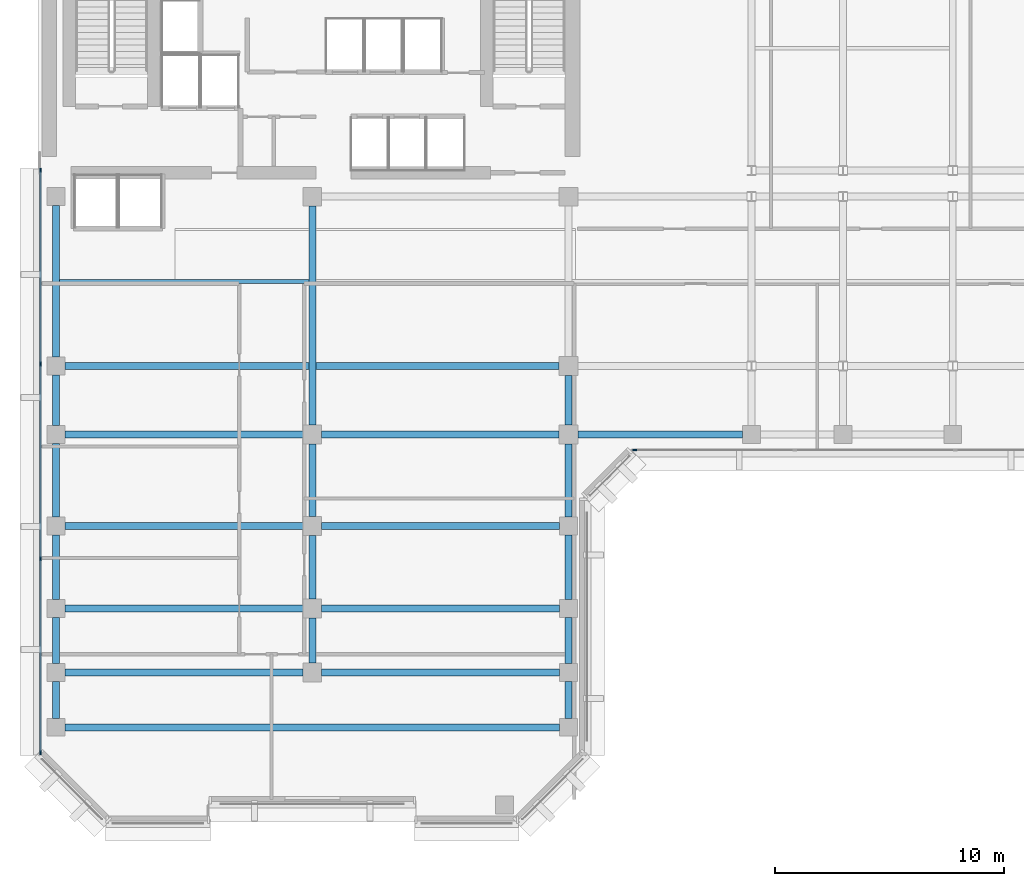
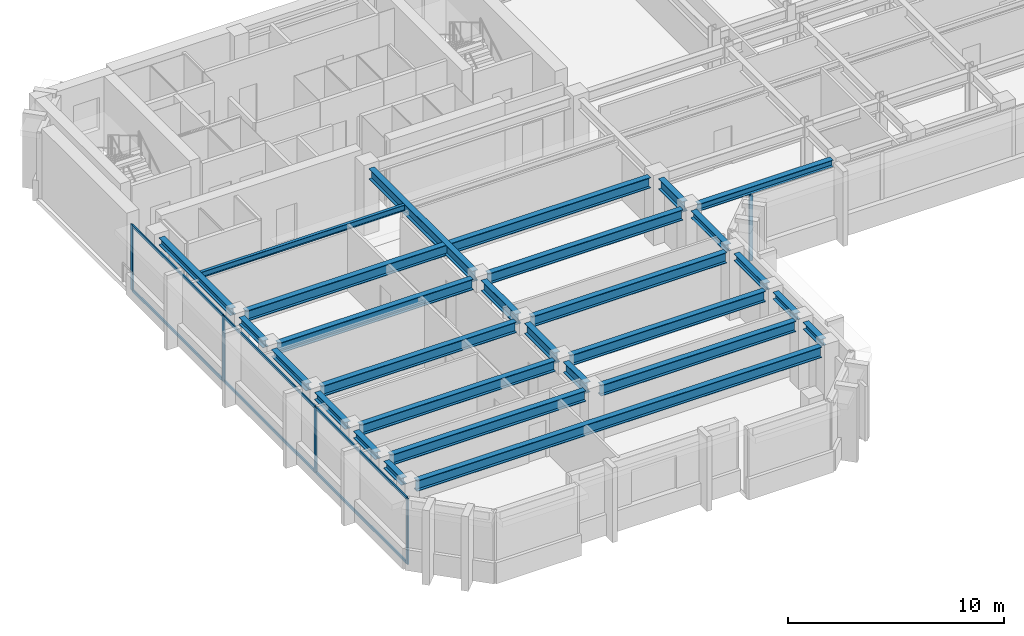
# One storey, part 2 of 12: 27 beams, 11 members, 2 elements without a shape of their own.
"""IFC4 building model written with IfcOpenShell, lengths in metres."""

import ifcopenshell
import ifcopenshell.guid

model = None  # the IFC model being written
_history = None  # IfcOwnerHistory: only IFC2X3 demands one
_inside = {}  # id of a spatial element -> (the spatial element, [elements in it])
_under = {}  # id of a project, library or spatial element -> (it, [spatial elements below it])
_declared = {}  # id of a project -> (the project, [libraries it declares])
_typed = {}  # id of a type object -> (the type object, [elements of that type])
_made_of = {}  # id of a material, layer set ... -> (it, [elements and type objects made of it])


def new_model(schema):
    """Start an empty IFC model of exactly this schema.

    Asked for "IFC4X3", IfcOpenShell would pick the latest addendum, in which some entities
    have other attributes; the version numbers below select the first issue.
    IFC2X3 requires an IfcOwnerHistory on every rooted entity: one is made here for all.
    """
    global model, _history
    if schema == "IFC4X3":
        model = ifcopenshell.file(schema_version=(4, 3, 0, 0))
    else:
        model = ifcopenshell.file(schema=schema)
    _inside.clear()
    _under.clear()
    _declared.clear()
    _typed.clear()
    _made_of.clear()
    _history = None
    if model.schema == "IFC2X3":
        org = make("IfcOrganization", Name="unknown")
        user = make(
            "IfcPersonAndOrganization",
            ThePerson=make("IfcPerson", FamilyName="unknown"),
            TheOrganization=org,
        )
        app = make(
            "IfcApplication",
            ApplicationDeveloper=org,
            Version="unknown",
            ApplicationFullName="unknown",
            ApplicationIdentifier="unknown",
        )
        _history = make(
            "IfcOwnerHistory",
            OwningUser=user,
            OwningApplication=app,
            ChangeAction="ADDED",
            CreationDate=0,
        )
    return model


def make(cls, **values):
    """One entity of the class cls with the attributes given. An attribute that is None is left unset."""
    return model.create_entity(
        cls, **{name: value for name, value in values.items() if value is not None}
    )


def rooted(cls, **values):
    """An entity with a GlobalId (a new one), such as an element, a storey or a relation."""
    return make(cls, GlobalId=ifcopenshell.guid.new(), OwnerHistory=_history, **values)


def si_unit(unit_type, name, prefix=None):
    """IfcSIUnit, for example si_unit("LENGTHUNIT", "METRE", prefix="MILLI")."""
    return make("IfcSIUnit", UnitType=unit_type, Prefix=prefix, Name=name)


def assignment(units):
    """IfcUnitAssignment: the units of a project."""
    return None if units is None else make("IfcUnitAssignment", Units=units)


def point(xyz):
    """IfcCartesianPoint."""
    return None if xyz is None else make("IfcCartesianPoint", Coordinates=xyz)


def direction(xyz):
    """IfcDirection."""
    return None if xyz is None else make("IfcDirection", DirectionRatios=xyz)


def frame(location, z_axis=None, x_axis=None):
    """IfcAxis2Placement3D, a coordinate frame: its origin and axes. An axis left out is left unset."""
    return make(
        "IfcAxis2Placement3D",
        Location=point(location),
        Axis=direction(z_axis),
        RefDirection=direction(x_axis),
    )


def frame_2d(location, x_axis=None):
    """IfcAxis2Placement2D, a coordinate frame in the plane: its origin and x axis."""
    return make(
        "IfcAxis2Placement2D", Location=point(location), RefDirection=direction(x_axis)
    )


def origin():
    """The frame at (0, 0, 0) with its axes left unset."""
    return frame((0.0, 0.0, 0.0))


def origin_2d():
    """The frame at (0, 0) in the plane with its x axis left unset."""
    return frame_2d((0.0, 0.0))


def place(relative_to, where):
    """IfcLocalPlacement: puts the frame where relative to a parent placement (None: the world)."""
    return make(
        "IfcLocalPlacement", PlacementRelTo=relative_to, RelativePlacement=where
    )


def context(
    kind, dimensions, precision=None, world=None, true_north=None, identifier=None
):
    """IfcGeometricRepresentationContext, for example the 3D "Model" context."""
    return make(
        "IfcGeometricRepresentationContext",
        ContextIdentifier=identifier,
        ContextType=kind,
        CoordinateSpaceDimension=dimensions,
        Precision=precision,
        WorldCoordinateSystem=world,
        TrueNorth=true_north,
    )


def subcontext(parent, identifier, kind, view, scale=None):
    """IfcGeometricRepresentationSubContext, for example "Body" below "Model"."""
    return make(
        "IfcGeometricRepresentationSubContext",
        ContextIdentifier=identifier,
        ContextType=kind,
        ParentContext=parent,
        TargetScale=scale,
        TargetView=view,
    )


def project(units=None, contexts=None):
    """IfcProject with its units and contexts."""
    return rooted(
        "IfcProject",
        Name="project",
        RepresentationContexts=contexts,
        UnitsInContext=assignment(units),
    )


def spatial(cls, under=None, at=None, **own):
    """A site, building, storey or space (cls), placed at a placement, below another one or the project."""
    s = rooted(cls, ObjectPlacement=at, **own)
    if under is not None:
        _under.setdefault(under.id(), (under, []))[1].append(s)
    return s


def profile(cls, at=None, kind="AREA", **sizes):
    """A parametric profile (cls). Its sizes go by their IFC names, for example OverallWidth=200.0."""
    return make(cls, ProfileType=kind, Position=at, **sizes)


def rectangle(**sizes):
    """IfcRectangleProfileDef."""
    return profile("IfcRectangleProfileDef", **sizes)


def i_section(**sizes):
    """IfcIShapeProfileDef."""
    return profile("IfcIShapeProfileDef", **sizes)


def extrude(swept, where, along, depth):
    """IfcExtrudedAreaSolid: the profile swept, set in the frame where, extruded along a direction by depth."""
    return make(
        "IfcExtrudedAreaSolid",
        SweptArea=swept,
        Position=where,
        ExtrudedDirection=direction(along),
        Depth=depth,
    )


def shape(context_of_items, identifier, shape_type, items):
    """IfcShapeRepresentation: the items that make up one representation, for example the "Body"."""
    return make(
        "IfcShapeRepresentation",
        ContextOfItems=context_of_items,
        RepresentationIdentifier=identifier,
        RepresentationType=shape_type,
        Items=items,
    )


def material(Name=None, Category=None):
    """IfcMaterial."""
    return make("IfcMaterial", Name=Name, Category=Category)


def layer(
    of_material, thickness, ventilated=None, Name=None, Category=None, Priority=None
):
    """IfcMaterialLayer: one layer of a wall or slab, of a material (None: an air gap)."""
    return make(
        "IfcMaterialLayer",
        Material=of_material,
        LayerThickness=thickness,
        IsVentilated=ventilated,
        Name=Name,
        Category=Category,
        Priority=Priority,
    )


def layer_set(layers, Name=None):
    """IfcMaterialLayerSet."""
    return make("IfcMaterialLayerSet", MaterialLayers=layers, LayerSetName=Name)


def material_profile(
    of_material, cross_section, Name=None, Category=None, Priority=None
):
    """IfcMaterialProfile: a cross section and its material."""
    return make(
        "IfcMaterialProfile",
        Name=Name,
        Material=of_material,
        Profile=cross_section,
        Priority=Priority,
        Category=Category,
    )


def profile_set(profiles, Name=None, composite=None):
    """IfcMaterialProfileSet."""
    return make(
        "IfcMaterialProfileSet",
        Name=Name,
        MaterialProfiles=profiles,
        CompositeProfile=composite,
    )


def made_of(thing, what):
    """Note that an element or type object is made of a material, layer set ...; save() writes the relation."""
    if what is not None:
        _made_of.setdefault(what.id(), (what, []))[1].append(thing)
    return thing


def type_object(cls, material=None, **own):
    """A type object (cls), such as IfcWallType, which elements share."""
    return made_of(rooted(cls, **own), material)


def element(
    cls,
    number,
    at=None,
    inside=None,
    cuts=None,
    type_object=None,
    material=None,
    context=None,
    identifier="Body",
    shape_type=None,
    held_by="IfcProductDefinitionShape",
    body=None,
    shapes=None,
    **own,
):
    """One element of the class cls, such as IfcWall. Its Tag is "e" and its number.

    at: its placement. inside: the storey or other place that contains it. cuts: it is an
    opening in that element (IfcRelVoidsElement). A single representation is given by context,
    identifier, shape_type and body (its items); several are given by shapes. held_by: the class
    of the entity that holds the representations. save() writes the other relations.
    """
    e = rooted(cls, Tag="e%d" % number, ObjectPlacement=at, **own)
    if body is not None:
        shapes = [shape(context, identifier, shape_type, body)]
    if shapes is not None:
        e.Representation = make(held_by, Representations=shapes)
    if inside is not None:
        _inside.setdefault(inside.id(), (inside, []))[1].append(e)
    if cuts is not None:
        rooted(
            "IfcRelVoidsElement", RelatingBuildingElement=cuts, RelatedOpeningElement=e
        )
    if type_object is not None:
        _typed.setdefault(type_object.id(), (type_object, []))[1].append(e)
    return made_of(e, material)


def aggregate(whole, parts):
    """IfcRelAggregates: a whole, such as a stair, and the parts it consists of."""
    return rooted("IfcRelAggregates", RelatingObject=whole, RelatedObjects=parts)


def save(model, path):
    """Write the relations noted so far, then the file.

    IfcRelAggregates (storeys below a building ...), IfcRelContainedInSpatialStructure (elements
    in a storey), IfcRelDefinesByType, IfcRelAssociatesMaterial and IfcRelDeclares: one each for
    every whole, place, type object, material and project.
    """
    for whole, parts in _under.values():
        aggregate(whole, parts)
    for where, things in _inside.values():
        rooted(
            "IfcRelContainedInSpatialStructure",
            RelatedElements=things,
            RelatingStructure=where,
        )
    for kind, things in _typed.values():
        rooted("IfcRelDefinesByType", RelatedObjects=things, RelatingType=kind)
    for what, things in _made_of.values():
        rooted("IfcRelAssociatesMaterial", RelatedObjects=things, RelatingMaterial=what)
    for by, libraries in _declared.values():
        rooted("IfcRelDeclares", RelatingContext=by, RelatedDefinitions=libraries)
    model.write(path)


model = new_model("IFC4")

# Units and contexts
model_context = context("Model", 3, precision=1e-05, world=origin(), true_north=direction((0.0, 1.0)))
body_context = subcontext(model_context, "Body", "Model", "MODEL_VIEW")
ifc_project = project(units=[si_unit("LENGTHUNIT", "METRE"), si_unit("AREAUNIT", "SQUARE_METRE"), si_unit("VOLUMEUNIT", "CUBIC_METRE"), si_unit("PLANEANGLEUNIT", "RADIAN"), si_unit("MASSUNIT", "GRAM", prefix="KILO")], contexts=[model_context])

# Site, building, storey
site_placement = place(None, origin())
site = spatial("IfcSite", under=ifc_project, at=site_placement, CompositionType="ELEMENT")
building_placement = place(site_placement, origin())
building = spatial("IfcBuilding", under=site, at=building_placement, Name="Kefirva Bronze Tower", CompositionType="ELEMENT")
storey_placement = place(building_placement, frame((0.0, 0.0, 199.320068359375)))
storey = spatial("IfcBuildingStorey", under=building, at=storey_placement, Name="L48", CompositionType="ELEMENT", Elevation=199.320068359375)

# Curtain wall, member
ifc_material_1 = material(Name="Bronze anodised aluminium", Category="aluminium")
ifc_layer = layer(ifc_material_1, 0.179931640625, Name="Bronze anodised aluminium")
ifc_layer_set = layer_set([ifc_layer], Name="Bronze anodised aluminium")
curtain_wall_type = type_object("IfcCurtainWallType", Name="Unitised Bronze Ribbon Curtain Wall Zone 3", PredefinedType="USERDEFINED", material=ifc_layer_set)
curtain_wall_1_placement = place(storey_placement, origin())
curtain_wall_1 = element("IfcCurtainWall", 1, at=curtain_wall_1_placement, inside=storey, type_object=curtain_wall_type, Name="L48 Curtain Wall 1", ObjectType="UNITISED CURTAIN WALL", PredefinedType="USERDEFINED")
ifc_material_profile_1 = material_profile(ifc_material_1, rectangle(XDim=0.074951171875, YDim=0.179931640625, at=origin_2d()), Name="ALU 75x180")
ifc_profile_set_1 = profile_set([ifc_material_profile_1], Name="Bronze anodised aluminium")
member_type_1 = type_object("IfcMemberType", Name="Bronze Mullion 75x180", PredefinedType="MULLION", material=ifc_profile_set_1)
member_1_placement = place(storey_placement, frame((26.092529296875, 22.1201171875, 0.0), z_axis=(0.0, 0.0, 1.0), x_axis=(0.0, 1.0, 0.0)))
member_1 = element("IfcMember", 2, at=member_1_placement, type_object=member_type_1, Name="CW-03 mullion 1", PredefinedType="MULLION", context=body_context, shape_type="SweptSolid", body=[
    extrude(rectangle(XDim=0.074951171875, YDim=0.179931640625, at=origin_2d()), origin(), (0.0, 0.0, 1.0), 3.7099609375),
])
aggregate(curtain_wall_1, [member_1])

# Curtain wall, members
curtain_wall_2_placement = place(storey_placement, origin())
curtain_wall_2 = element("IfcCurtainWall", 3, at=curtain_wall_2_placement, inside=storey, type_object=curtain_wall_type, Name="L48 Curtain Wall 4", ObjectType="UNITISED CURTAIN WALL", PredefinedType="USERDEFINED")
member_2_placement = place(storey_placement, frame((0.1201171875, 34.357421875, 0.0), z_axis=(0.0, 0.0, 1.0), x_axis=(1.0, 0.0, 0.0)))
member_2 = element("IfcMember", 4, at=member_2_placement, type_object=member_type_1, Name="CW-03 mullion 1", PredefinedType="MULLION", context=body_context, shape_type="SweptSolid", body=[
    extrude(rectangle(XDim=0.074951171875, YDim=0.179931640625, at=origin_2d()), origin(), (0.0, 0.0, 1.0), 3.7099609375),
])
member_3_placement = place(storey_placement, frame((0.1201171875, 25.881591796875, 0.0), z_axis=(0.0, 0.0, 1.0), x_axis=(1.0, 0.0, 0.0)))
member_3 = element("IfcMember", 5, at=member_3_placement, type_object=member_type_1, Name="CW-03 mullion 2", PredefinedType="MULLION", context=body_context, shape_type="SweptSolid", body=[
    extrude(rectangle(XDim=0.074951171875, YDim=0.179931640625, at=origin_2d()), origin(), (0.0, 0.0, 1.0), 3.7099609375),
])
member_4_placement = place(storey_placement, frame((0.1201171875, 17.368408203125, 0.0), z_axis=(0.0, 0.0, 1.0), x_axis=(1.0, 0.0, 0.0)))
member_4 = element("IfcMember", 6, at=member_4_placement, type_object=member_type_1, Name="CW-03 mullion 3", PredefinedType="MULLION", context=body_context, shape_type="SweptSolid", body=[
    extrude(rectangle(XDim=0.074951171875, YDim=0.179931640625, at=origin_2d()), origin(), (0.0, 0.0, 1.0), 3.7099609375),
])
member_5_placement = place(storey_placement, frame((0.1201171875, 8.892578125, 0.0), z_axis=(0.0, 0.0, 1.0), x_axis=(1.0, 0.0, 0.0)))
member_5 = element("IfcMember", 7, at=member_5_placement, type_object=member_type_1, Name="CW-03 mullion 4", PredefinedType="MULLION", context=body_context, shape_type="SweptSolid", body=[
    extrude(rectangle(XDim=0.074951171875, YDim=0.179931640625, at=origin_2d()), origin(), (0.0, 0.0, 1.0), 3.7099609375),
])
ifc_material_profile_2 = material_profile(ifc_material_1, rectangle(XDim=0.074951171875, YDim=0.14990234375, at=origin_2d()), Name="ALU 75x150")
ifc_profile_set_2 = profile_set([ifc_material_profile_2], Name="Bronze anodised aluminium")
member_type_2 = type_object("IfcMemberType", Name="Bronze Transom 75x150", PredefinedType="USERDEFINED", material=ifc_profile_set_2)
member_6_placement = place(storey_placement, frame((0.1201171875, 34.320068359375, 0.037353515625), z_axis=(0.0, -1.0, 0.0), x_axis=(1.0, 0.0, 0.0)))
member_6 = element("IfcMember", 8, at=member_6_placement, type_object=member_type_2, Name="CW-03 transom 1.1", ObjectType="TRANSOM", PredefinedType="USERDEFINED", context=body_context, shape_type="SweptSolid", body=[
    extrude(rectangle(XDim=0.074951171875, YDim=0.14990234375, at=origin_2d()), origin(), (0.0, 0.0, 1.0), 8.40087890625),
])
member_7_placement = place(storey_placement, frame((0.1201171875, 34.320068359375, 3.67236328125), z_axis=(0.0, -1.0, 0.0), x_axis=(1.0, 0.0, 0.0)))
member_7 = element("IfcMember", 9, at=member_7_placement, type_object=member_type_2, Name="CW-03 transom 1.2", ObjectType="TRANSOM", PredefinedType="USERDEFINED", context=body_context, shape_type="SweptSolid", body=[
    extrude(rectangle(XDim=0.074951171875, YDim=0.14990234375, at=origin_2d()), origin(), (0.0, 0.0, 1.0), 8.40087890625),
])
member_8_placement = place(storey_placement, frame((0.1201171875, 25.84423828125, 0.037353515625), z_axis=(0.0, -1.0, 0.0), x_axis=(1.0, 0.0, 0.0)))
member_8 = element("IfcMember", 10, at=member_8_placement, type_object=member_type_2, Name="CW-03 transom 2.1", ObjectType="TRANSOM", PredefinedType="USERDEFINED", context=body_context, shape_type="SweptSolid", body=[
    extrude(rectangle(XDim=0.074951171875, YDim=0.14990234375, at=origin_2d()), origin(), (0.0, 0.0, 1.0), 8.4384765625),
])
member_9_placement = place(storey_placement, frame((0.1201171875, 25.84423828125, 3.67236328125), z_axis=(0.0, -1.0, 0.0), x_axis=(1.0, 0.0, 0.0)))
member_9 = element("IfcMember", 11, at=member_9_placement, type_object=member_type_2, Name="CW-03 transom 2.2", ObjectType="TRANSOM", PredefinedType="USERDEFINED", context=body_context, shape_type="SweptSolid", body=[
    extrude(rectangle(XDim=0.074951171875, YDim=0.14990234375, at=origin_2d()), origin(), (0.0, 0.0, 1.0), 8.4384765625),
])
member_10_placement = place(storey_placement, frame((0.1201171875, 17.330810546875, 0.037353515625), z_axis=(0.0, -1.0, 0.0), x_axis=(1.0, 0.0, 0.0)))
member_10 = element("IfcMember", 12, at=member_10_placement, type_object=member_type_2, Name="CW-03 transom 3.1", ObjectType="TRANSOM", PredefinedType="USERDEFINED", context=body_context, shape_type="SweptSolid", body=[
    extrude(rectangle(XDim=0.074951171875, YDim=0.14990234375, at=origin_2d()), origin(), (0.0, 0.0, 1.0), 8.40087890625),
])
member_11_placement = place(storey_placement, frame((0.1201171875, 17.330810546875, 3.67236328125), z_axis=(0.0, -1.0, 0.0), x_axis=(1.0, 0.0, 0.0)))
member_11 = element("IfcMember", 13, at=member_11_placement, type_object=member_type_2, Name="CW-03 transom 3.2", ObjectType="TRANSOM", PredefinedType="USERDEFINED", context=body_context, shape_type="SweptSolid", body=[
    extrude(rectangle(XDim=0.074951171875, YDim=0.14990234375, at=origin_2d()), origin(), (0.0, 0.0, 1.0), 8.40087890625),
])
aggregate(curtain_wall_2, [member_2, member_3, member_4, member_5, member_6, member_7, member_8, member_9, member_10, member_11])

# Beams
ifc_material_2 = material(Name="Steel S355", Category="steel")
ifc_material_profile_3 = material_profile(ifc_material_2, i_section(OverallWidth=0.159912109375, OverallDepth=0.330078125, WebThickness=0.007568359375, FlangeThickness=0.011474609375, at=origin_2d()), Name="IPE 330")
ifc_profile_set_3 = profile_set([ifc_material_profile_3], Name="Steel S355")
beam_type_1 = type_object("IfcBeamType", Name="Steel Floor Joist IPE 330", PredefinedType="JOIST", material=ifc_profile_set_3)
beam_1_placement = place(storey_placement, frame((0.949951171875, 29.489990234375, 3.544921875), z_axis=(1.0, 0.0, 0.0), x_axis=(0.0, 1.0, 0.0)))
element("IfcBeam", 14, at=beam_1_placement, inside=storey, type_object=beam_type_1, Name="L48 JST-L48-0-294", PredefinedType="JOIST", context=body_context, shape_type="SweptSolid", body=[
    extrude(i_section(OverallWidth=0.159912109375, OverallDepth=0.330078125, WebThickness=0.007568359375, FlangeThickness=0.011474609375, at=origin_2d()), origin(), (0.0, 0.0, 1.0), 10.900146484375),
])
ifc_material_profile_4 = material_profile(ifc_material_2, i_section(OverallWidth=0.300048828125, OverallDepth=0.60009765625, WebThickness=0.015380859375, FlangeThickness=0.030029296875, at=origin_2d()), Name="HEB 600")
ifc_profile_set_4 = profile_set([ifc_material_profile_4], Name="Steel S355")
beam_type_2 = type_object("IfcBeamType", Name="Steel Girder HEB 600", PredefinedType="USERDEFINED", material=ifc_profile_set_4)
beam_2_placement = place(storey_placement, frame((1.18994140625, 10.0, 3.409912109375), z_axis=(1.0, 0.0, 0.0), x_axis=(0.0, 1.0, 0.0)))
element("IfcBeam", 15, at=beam_2_placement, inside=storey, type_object=beam_type_2, Name="L48 BM-L48-EW-0-100", ObjectType="GIRDER", PredefinedType="USERDEFINED", context=body_context, shape_type="SweptSolid", body=[
    extrude(i_section(OverallWidth=0.300048828125, OverallDepth=0.60009765625, WebThickness=0.015380859375, FlangeThickness=0.030029296875, at=origin_2d()), origin(), (0.0, 0.0, 1.0), 21.6201171875),
])
for number, where, z_axis, x_axis, name in (
    (16, (1.18994140625, 12.39990234375, 3.409912109375), (1.0, 0.0, 0.0), (0.0, 1.0, 0.0), "L48 BM-L48-EW-0-124"),
    (17, (12.409912109375, 12.39990234375, 3.409912109375), (1.0, 0.0, 0.0), (0.0, 1.0, 0.0), "L48 BM-L48-EW-12-124"),
    (18, (1.18994140625, 15.199951171875, 3.409912109375), (1.0, 0.0, 0.0), (0.0, 1.0, 0.0), "L48 BM-L48-EW-0-152"),
    (19, (12.409912109375, 15.199951171875, 3.409912109375), (1.0, 0.0, 0.0), (0.0, 1.0, 0.0), "L48 BM-L48-EW-12-152"),
    (20, (1.18994140625, 18.800048828125, 3.409912109375), (1.0, 0.0, 0.0), (0.0, 1.0, 0.0), "L48 BM-L48-EW-0-188"),
    (21, (12.409912109375, 18.800048828125, 3.409912109375), (1.0, 0.0, 0.0), (0.0, 1.0, 0.0), "L48 BM-L48-EW-12-188"),
    (22, (1.18994140625, 22.800048828125, 3.409912109375), (1.0, 0.0, 0.0), (0.0, 1.0, 0.0), "L48 BM-L48-EW-0-228"),
):
    element("IfcBeam", number, at=place(storey_placement, frame(where, z_axis=z_axis, x_axis=x_axis)), inside=storey, type_object=beam_type_2, Name=name, ObjectType="GIRDER", PredefinedType="USERDEFINED", context=body_context, shape_type="SweptSolid", body=[
        extrude(i_section(OverallWidth=0.300048828125, OverallDepth=0.60009765625, WebThickness=0.015380859375, FlangeThickness=0.030029296875, at=origin_2d()), origin(), (0.0, 0.0, 1.0), 10.400146484375),
    ])
beam_3_placement = place(storey_placement, frame((12.409912109375, 22.800048828125, 3.409912109375), z_axis=(1.0, 0.0, 0.0), x_axis=(0.0, 1.0, 0.0)))
element("IfcBeam", 23, at=beam_3_placement, inside=storey, type_object=beam_type_2, Name="L48 BM-L48-EW-12-228", ObjectType="GIRDER", PredefinedType="USERDEFINED", context=body_context, shape_type="SweptSolid", body=[
    extrude(i_section(OverallWidth=0.300048828125, OverallDepth=0.60009765625, WebThickness=0.015380859375, FlangeThickness=0.030029296875, at=origin_2d()), origin(), (0.0, 0.0, 1.0), 10.380126953125),
])
beam_4_placement = place(storey_placement, frame((1.18994140625, 25.800048828125, 3.409912109375), z_axis=(1.0, 0.0, 0.0), x_axis=(0.0, 1.0, 0.0)))
element("IfcBeam", 24, at=beam_4_placement, inside=storey, type_object=beam_type_2, Name="L48 BM-L48-EW-0-258", ObjectType="GIRDER", PredefinedType="USERDEFINED", context=body_context, shape_type="SweptSolid", body=[
    extrude(i_section(OverallWidth=0.300048828125, OverallDepth=0.60009765625, WebThickness=0.015380859375, FlangeThickness=0.030029296875, at=origin_2d()), origin(), (0.0, 0.0, 1.0), 21.60009765625),
])
beam_5_placement = place(storey_placement, frame((12.0, 12.81005859375, 3.409912109375), z_axis=(0.0, 1.0, 0.0), x_axis=(-1.0, 0.0, 0.0)))
element("IfcBeam", 25, at=beam_5_placement, inside=storey, type_object=beam_type_2, Name="L48 BM-L48-NS-120-12", ObjectType="GIRDER", PredefinedType="USERDEFINED", context=body_context, shape_type="SweptSolid", body=[
    extrude(i_section(OverallWidth=0.300048828125, OverallDepth=0.60009765625, WebThickness=0.015380859375, FlangeThickness=0.030029296875, at=origin_2d()), origin(), (0.0, 0.0, 1.0), 1.97998046875),
])
beam_6_placement = place(storey_placement, frame((12.0, 15.610107421875, 3.409912109375), z_axis=(0.0, 1.0, 0.0), x_axis=(-1.0, 0.0, 0.0)))
element("IfcBeam", 26, at=beam_6_placement, inside=storey, type_object=beam_type_2, Name="L48 BM-L48-NS-120-15", ObjectType="GIRDER", PredefinedType="USERDEFINED", context=body_context, shape_type="SweptSolid", body=[
    extrude(i_section(OverallWidth=0.300048828125, OverallDepth=0.60009765625, WebThickness=0.015380859375, FlangeThickness=0.030029296875, at=origin_2d()), origin(), (0.0, 0.0, 1.0), 2.77978515625),
])
beam_7_placement = place(storey_placement, frame((12.0, 19.2099609375, 3.409912109375), z_axis=(0.0, 1.0, 0.0), x_axis=(-1.0, 0.0, 0.0)))
element("IfcBeam", 27, at=beam_7_placement, inside=storey, type_object=beam_type_2, Name="L48 BM-L48-NS-120-18", ObjectType="GIRDER", PredefinedType="USERDEFINED", context=body_context, shape_type="SweptSolid", body=[
    extrude(i_section(OverallWidth=0.300048828125, OverallDepth=0.60009765625, WebThickness=0.015380859375, FlangeThickness=0.030029296875, at=origin_2d()), origin(), (0.0, 0.0, 1.0), 3.179931640625),
])
beam_8_placement = place(storey_placement, frame((12.0, 23.2099609375, 3.409912109375), z_axis=(0.0, 1.0, 0.0), x_axis=(-1.0, 0.0, 0.0)))
element("IfcBeam", 28, at=beam_8_placement, inside=storey, type_object=beam_type_2, Name="L48 BM-L48-NS-120-22", ObjectType="GIRDER", PredefinedType="USERDEFINED", context=body_context, shape_type="SweptSolid", body=[
    extrude(i_section(OverallWidth=0.300048828125, OverallDepth=0.60009765625, WebThickness=0.015380859375, FlangeThickness=0.030029296875, at=origin_2d()), origin(), (0.0, 0.0, 1.0), 9.580078125),
])
beam_9_placement = place(storey_placement, frame((23.199951171875, 23.2099609375, 3.409912109375), z_axis=(0.0, 1.0, 0.0), x_axis=(-1.0, 0.0, 0.0)))
element("IfcBeam", 29, at=beam_9_placement, inside=storey, type_object=beam_type_2, Name="L48 BM-L48-NS-232-22", ObjectType="GIRDER", PredefinedType="USERDEFINED", context=body_context, shape_type="SweptSolid", body=[
    extrude(i_section(OverallWidth=0.300048828125, OverallDepth=0.60009765625, WebThickness=0.015380859375, FlangeThickness=0.030029296875, at=origin_2d()), origin(), (0.0, 0.0, 1.0), 2.179931640625),
])
ifc_material_profile_5 = material_profile(ifc_material_2, i_section(OverallWidth=0.300048828125, OverallDepth=0.39990234375, WebThickness=0.013427734375, FlangeThickness=0.02392578125, at=origin_2d()), Name="HEB 400")
ifc_profile_set_5 = profile_set([ifc_material_profile_5], Name="Steel S355")
beam_type_3 = type_object("IfcBeamType", Name="Steel Spandrel HEB 400 Ext", PredefinedType="SPANDREL", material=ifc_profile_set_5)
beam_10_placement = place(storey_placement, frame((23.610107421875, 22.800048828125, 3.510009765625), z_axis=(1.0, 0.0, 0.0), x_axis=(0.0, 1.0, 0.0)))
element("IfcBeam", 30, at=beam_10_placement, inside=storey, type_object=beam_type_3, Name="L48 BM-L48-EW-23-228", PredefinedType="SPANDREL", context=body_context, shape_type="SweptSolid", body=[
    extrude(i_section(OverallWidth=0.300048828125, OverallDepth=0.39990234375, WebThickness=0.013427734375, FlangeThickness=0.02392578125, at=origin_2d()), origin(), (0.0, 0.0, 1.0), 7.199951171875),
])
beam_11_placement = place(storey_placement, frame((0.800048828125, 10.389892578125, 3.510009765625), z_axis=(0.0, 1.0, 0.0), x_axis=(-1.0, 0.0, 0.0)))
element("IfcBeam", 31, at=beam_11_placement, inside=storey, type_object=beam_type_3, Name="L48 BM-L48-NS-8-10", PredefinedType="SPANDREL", context=body_context, shape_type="SweptSolid", body=[
    extrude(i_section(OverallWidth=0.300048828125, OverallDepth=0.39990234375, WebThickness=0.013427734375, FlangeThickness=0.02392578125, at=origin_2d()), origin(), (0.0, 0.0, 1.0), 1.6201171875),
])
beam_12_placement = place(storey_placement, frame((0.800048828125, 12.7900390625, 3.510009765625), z_axis=(0.0, 1.0, 0.0), x_axis=(-1.0, 0.0, 0.0)))
element("IfcBeam", 32, at=beam_12_placement, inside=storey, type_object=beam_type_3, Name="L48 BM-L48-NS-8-12", PredefinedType="SPANDREL", context=body_context, shape_type="SweptSolid", body=[
    extrude(i_section(OverallWidth=0.300048828125, OverallDepth=0.39990234375, WebThickness=0.013427734375, FlangeThickness=0.02392578125, at=origin_2d()), origin(), (0.0, 0.0, 1.0), 2.02001953125),
])
beam_13_placement = place(storey_placement, frame((0.800048828125, 15.590087890625, 3.510009765625), z_axis=(0.0, 1.0, 0.0), x_axis=(-1.0, 0.0, 0.0)))
element("IfcBeam", 33, at=beam_13_placement, inside=storey, type_object=beam_type_3, Name="L48 BM-L48-NS-8-15", PredefinedType="SPANDREL", context=body_context, shape_type="SweptSolid", body=[
    extrude(i_section(OverallWidth=0.300048828125, OverallDepth=0.39990234375, WebThickness=0.013427734375, FlangeThickness=0.02392578125, at=origin_2d()), origin(), (0.0, 0.0, 1.0), 2.81982421875),
])
beam_14_placement = place(storey_placement, frame((0.800048828125, 19.18994140625, 3.510009765625), z_axis=(0.0, 1.0, 0.0), x_axis=(-1.0, 0.0, 0.0)))
element("IfcBeam", 34, at=beam_14_placement, inside=storey, type_object=beam_type_3, Name="L48 BM-L48-NS-8-18", PredefinedType="SPANDREL", context=body_context, shape_type="SweptSolid", body=[
    extrude(i_section(OverallWidth=0.300048828125, OverallDepth=0.39990234375, WebThickness=0.013427734375, FlangeThickness=0.02392578125, at=origin_2d()), origin(), (0.0, 0.0, 1.0), 3.219970703125),
])
beam_15_placement = place(storey_placement, frame((0.800048828125, 23.18994140625, 3.510009765625), z_axis=(0.0, 1.0, 0.0), x_axis=(-1.0, 0.0, 0.0)))
element("IfcBeam", 35, at=beam_15_placement, inside=storey, type_object=beam_type_3, Name="L48 BM-L48-NS-8-22", PredefinedType="SPANDREL", context=body_context, shape_type="SweptSolid", body=[
    extrude(i_section(OverallWidth=0.300048828125, OverallDepth=0.39990234375, WebThickness=0.013427734375, FlangeThickness=0.02392578125, at=origin_2d()), origin(), (0.0, 0.0, 1.0), 2.219970703125),
])
beam_16_placement = place(storey_placement, frame((0.800048828125, 26.18994140625, 3.510009765625), z_axis=(0.0, 1.0, 0.0), x_axis=(-1.0, 0.0, 0.0)))
element("IfcBeam", 36, at=beam_16_placement, inside=storey, type_object=beam_type_3, Name="L48 BM-L48-NS-8-25", PredefinedType="SPANDREL", context=body_context, shape_type="SweptSolid", body=[
    extrude(i_section(OverallWidth=0.300048828125, OverallDepth=0.39990234375, WebThickness=0.013427734375, FlangeThickness=0.02392578125, at=origin_2d()), origin(), (0.0, 0.0, 1.0), 6.6201171875),
])
beam_17_placement = place(storey_placement, frame((23.199951171875, 10.389892578125, 3.510009765625), z_axis=(0.0, 1.0, 0.0), x_axis=(-1.0, 0.0, 0.0)))
element("IfcBeam", 37, at=beam_17_placement, inside=storey, type_object=beam_type_3, Name="L48 BM-L48-NS-232-10", PredefinedType="SPANDREL", context=body_context, shape_type="SweptSolid", body=[
    extrude(i_section(OverallWidth=0.300048828125, OverallDepth=0.39990234375, WebThickness=0.013427734375, FlangeThickness=0.02392578125, at=origin_2d()), origin(), (0.0, 0.0, 1.0), 1.6201171875),
])
beam_18_placement = place(storey_placement, frame((23.199951171875, 12.7900390625, 3.510009765625), z_axis=(0.0, 1.0, 0.0), x_axis=(-1.0, 0.0, 0.0)))
element("IfcBeam", 38, at=beam_18_placement, inside=storey, type_object=beam_type_3, Name="L48 BM-L48-NS-232-12", PredefinedType="SPANDREL", context=body_context, shape_type="SweptSolid", body=[
    extrude(i_section(OverallWidth=0.300048828125, OverallDepth=0.39990234375, WebThickness=0.013427734375, FlangeThickness=0.02392578125, at=origin_2d()), origin(), (0.0, 0.0, 1.0), 2.02001953125),
])
beam_19_placement = place(storey_placement, frame((23.199951171875, 15.590087890625, 3.510009765625), z_axis=(0.0, 1.0, 0.0), x_axis=(-1.0, 0.0, 0.0)))
element("IfcBeam", 39, at=beam_19_placement, inside=storey, type_object=beam_type_3, Name="L48 BM-L48-NS-232-15", PredefinedType="SPANDREL", context=body_context, shape_type="SweptSolid", body=[
    extrude(i_section(OverallWidth=0.300048828125, OverallDepth=0.39990234375, WebThickness=0.013427734375, FlangeThickness=0.02392578125, at=origin_2d()), origin(), (0.0, 0.0, 1.0), 2.81982421875),
])
beam_20_placement = place(storey_placement, frame((23.199951171875, 19.18994140625, 3.510009765625), z_axis=(0.0, 1.0, 0.0), x_axis=(-1.0, 0.0, 0.0)))
element("IfcBeam", 40, at=beam_20_placement, inside=storey, type_object=beam_type_3, Name="L48 BM-L48-NS-232-18", PredefinedType="SPANDREL", context=body_context, shape_type="SweptSolid", body=[
    extrude(i_section(OverallWidth=0.300048828125, OverallDepth=0.39990234375, WebThickness=0.013427734375, FlangeThickness=0.02392578125, at=origin_2d()), origin(), (0.0, 0.0, 1.0), 3.199951171875),
])

save(model, "model.ifc")
